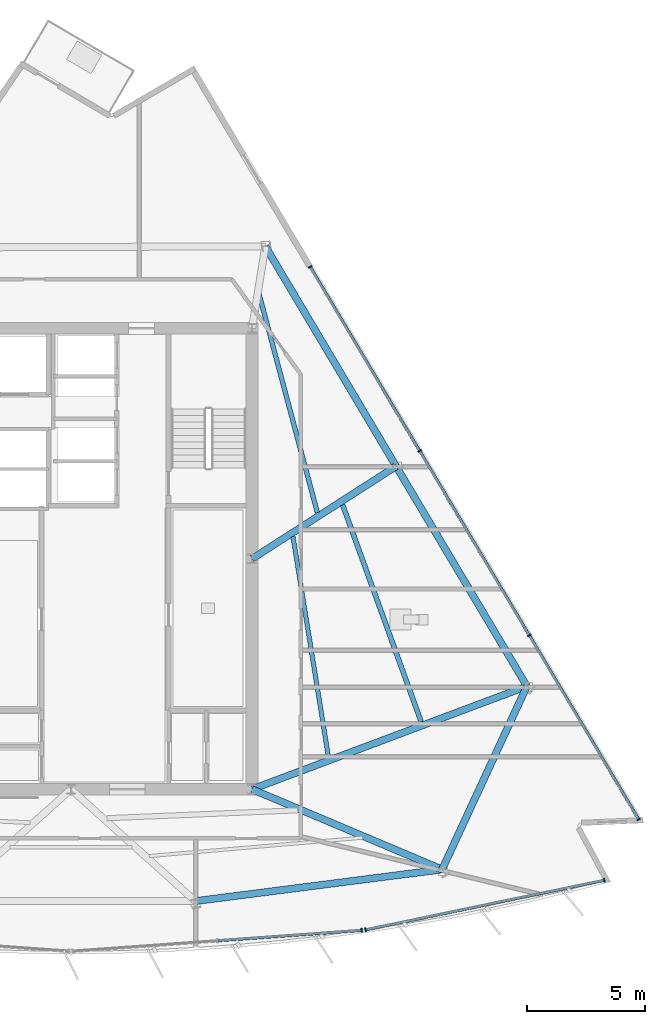
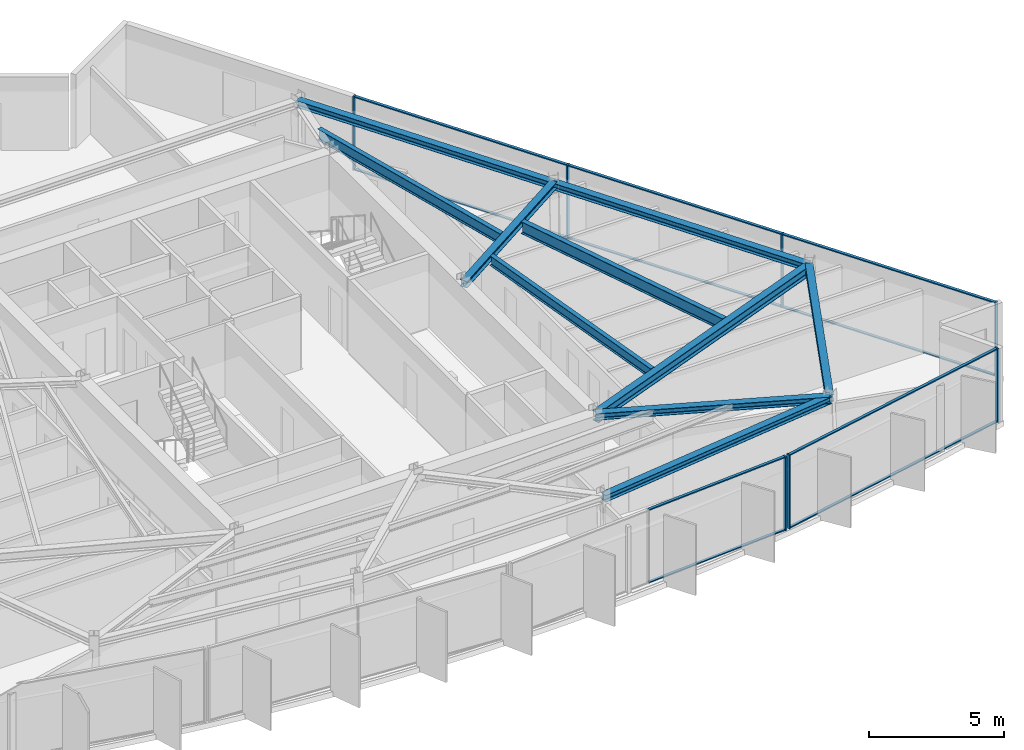
# One storey, part 5 of 13: 17 members, 10 beams, 3 elements without a shape of their own.
"""IFC4 building model written with IfcOpenShell, lengths in metres."""

from ifc_helpers import new_model, si_unit, direction, frame, origin, origin_2d, place, context, subcontext, project, spatial, rectangle, i_section, extrude, material, material_profile, profile_set, type_object, element, aggregate, save


model = new_model("IFC4")

# Units and contexts
model_context = context("Model", 3, precision=1e-05, world=origin(), true_north=direction((0.0, 1.0)))
body_context = subcontext(model_context, "Body", "Model", "MODEL_VIEW")
ifc_project = project(units=[si_unit("LENGTHUNIT", "METRE"), si_unit("AREAUNIT", "SQUARE_METRE"), si_unit("VOLUMEUNIT", "CUBIC_METRE"), si_unit("PLANEANGLEUNIT", "RADIAN"), si_unit("MASSUNIT", "GRAM", prefix="KILO")], contexts=[model_context])

# Site, building, storey
site_placement = place(None, origin())
site = spatial("IfcSite", under=ifc_project, at=site_placement, CompositionType="ELEMENT")
building_placement = place(site_placement, origin())
building = spatial("IfcBuilding", under=site, at=building_placement, Name="Savorim Split Tower", CompositionType="ELEMENT")
storey_placement = place(building_placement, frame((0.0, 0.0, 254.39990234375)))
storey = spatial("IfcBuildingStorey", under=building, at=storey_placement, Name="L67", CompositionType="ELEMENT", Elevation=254.39990234375)

# Beams
ifc_material_1 = material(Name="Steel S355", Category="steel")
ifc_material_profile_1 = material_profile(ifc_material_1, i_section(OverallWidth=0.18994140625, OverallDepth=0.449951171875, WebThickness=0.009521484375, FlangeThickness=0.0146484375, FilletRadius=0.02099609375, at=origin_2d()), Name="IPE 450")
ifc_profile_set_1 = profile_set([ifc_material_profile_1], Name="Steel S355")
beam_type_1 = type_object("IfcBeamType", Name="BM-JST-IPE450", PredefinedType="JOIST", material=ifc_profile_set_1)
beam_1_placement = place(storey_placement, frame((10.946533203125, -8.01513671875, 3.125), z_axis=(-0.158895549675, 0.9872953987, 0.0), x_axis=(-0.9872953987, -0.158895549675, 0.0)))
element("IfcBeam", 1, at=beam_1_placement, inside=storey, type_object=beam_type_1, Name="L67 Secondary Floor Joist JS-08", PredefinedType="JOIST", context=body_context, shape_type="SweptSolid", body=[
    extrude(i_section(OverallWidth=0.18994140625, OverallDepth=0.449951171875, WebThickness=0.009521484375, FlangeThickness=0.0146484375, FilletRadius=0.02099609375, at=origin_2d()), origin(), (0.0, 0.0, 1.0), 9.478515625),
])
ifc_material_profile_2 = material_profile(ifc_material_1, i_section(OverallWidth=0.199951171875, OverallDepth=0.5, WebThickness=0.01025390625, FlangeThickness=0.01611328125, FilletRadius=0.02099609375, at=origin_2d()), Name="IPE 500")
ifc_profile_set_2 = profile_set([ifc_material_profile_2], Name="Steel S355")
beam_type_2 = type_object("IfcBeamType", Name="BM-JST-IPE500", PredefinedType="JOIST", material=ifc_profile_set_2)
beam_2_placement = place(storey_placement, frame((10.476318359375, 2.36328125, 3.10009765625), z_axis=(-0.257596228139, 0.966252649801, 0.0), x_axis=(-0.966252649801, -0.257596228139, 0.0)))
element("IfcBeam", 2, at=beam_2_placement, inside=storey, type_object=beam_type_2, Name="L67 Secondary Floor Joist JS-07", PredefinedType="JOIST", context=body_context, shape_type="SweptSolid", body=[
    extrude(i_section(OverallWidth=0.199951171875, OverallDepth=0.5, WebThickness=0.01025390625, FlangeThickness=0.01611328125, FilletRadius=0.02099609375, at=origin_2d()), origin(), (0.0, 0.0, 1.0), 9.6083984375),
])
ifc_material_profile_3 = material_profile(ifc_material_1, i_section(OverallWidth=0.2099609375, OverallDepth=0.550048828125, WebThickness=0.010986328125, FlangeThickness=0.01708984375, FilletRadius=0.02392578125, at=origin_2d()), Name="IPE 550")
ifc_profile_set_3 = profile_set([ifc_material_profile_3], Name="Steel S355")
beam_type_3 = type_object("IfcBeamType", Name="BM-JST-IPE550", PredefinedType="JOIST", material=ifc_profile_set_3)
beam_3_placement = place(storey_placement, frame((14.890380859375, -6.532958984375, 3.0751953125), z_axis=(-0.340413379679, 0.940275880226, 0.0), x_axis=(-0.940275880226, -0.340413379679, 0.0)))
element("IfcBeam", 3, at=beam_3_placement, inside=storey, type_object=beam_type_3, Name="L67 Secondary Floor Joist JS-06", PredefinedType="JOIST", context=body_context, shape_type="SweptSolid", body=[
    extrude(i_section(OverallWidth=0.2099609375, OverallDepth=0.550048828125, WebThickness=0.010986328125, FlangeThickness=0.01708984375, FilletRadius=0.02392578125, at=origin_2d()), origin(), (0.0, 0.0, 1.0), 9.80615234375),
])
ifc_material_profile_4 = material_profile(ifc_material_1, i_section(OverallWidth=0.300048828125, OverallDepth=0.300048828125, WebThickness=0.010986328125, FlangeThickness=0.01904296875, FilletRadius=0.027099609375, at=origin_2d()), Name="HEB 300")
ifc_profile_set_4 = profile_set([ifc_material_profile_4], Name="Steel S355")
beam_type_4 = type_object("IfcBeamType", Name="BM-PRI-HEB300", PredefinedType="BEAM", material=ifc_profile_set_4)
beam_4_placement = place(storey_placement, frame((15.779541015625, -12.80810546875, 3.2001953125), z_axis=(-0.921379428234, 0.388664314321, 0.0), x_axis=(-0.388664314321, -0.921379428234, 0.0)))
element("IfcBeam", 4, at=beam_4_placement, inside=storey, type_object=beam_type_4, Name="L67 Primary Floor Girder RG-04", PredefinedType="BEAM", context=body_context, shape_type="SweptSolid", body=[
    extrude(i_section(OverallWidth=0.300048828125, OverallDepth=0.300048828125, WebThickness=0.010986328125, FlangeThickness=0.01904296875, FilletRadius=0.027099609375, at=origin_2d()), origin(), (0.0, 0.0, 1.0), 8.76904296875),
])
beam_5_placement = place(storey_placement, frame((13.8251953125, 4.332275390625, 3.2001953125), z_axis=(-0.841508521188, -0.540243841953, 0.0), x_axis=(0.540243841953, -0.841508521188, 0.0)))
element("IfcBeam", 5, at=beam_5_placement, inside=storey, type_object=beam_type_4, Name="L67 Primary Floor Girder RG-06", PredefinedType="BEAM", context=body_context, shape_type="SweptSolid", body=[
    extrude(i_section(OverallWidth=0.300048828125, OverallDepth=0.300048828125, WebThickness=0.010986328125, FlangeThickness=0.01904296875, FilletRadius=0.027099609375, at=origin_2d()), origin(), (0.0, 0.0, 1.0), 7.27880859375),
])
ifc_material_profile_5 = material_profile(ifc_material_1, i_section(OverallWidth=0.300048828125, OverallDepth=0.449951171875, WebThickness=0.013916015625, FlangeThickness=0.02587890625, FilletRadius=0.027099609375, at=origin_2d()), Name="HEB 450")
ifc_profile_set_5 = profile_set([ifc_material_profile_5], Name="Steel S355")
beam_type_5 = type_object("IfcBeamType", Name="BM-PRI-HEB450", PredefinedType="BEAM", material=ifc_profile_set_5)
beam_6_placement = place(storey_placement, frame((19.38525390625, -5.018310546875, 3.125), z_axis=(-0.936339628573, -0.351095570984, 0.0), x_axis=(0.351095570984, -0.936339628573, 0.0)))
element("IfcBeam", 6, at=beam_6_placement, inside=storey, type_object=beam_type_5, Name="L67 Primary Floor Girder RG-05", PredefinedType="BEAM", context=body_context, shape_type="SweptSolid", body=[
    extrude(i_section(OverallWidth=0.300048828125, OverallDepth=0.449951171875, WebThickness=0.013916015625, FlangeThickness=0.02587890625, FilletRadius=0.027099609375, at=origin_2d()), origin(), (0.0, 0.0, 1.0), 12.479736328125),
])
ifc_material_profile_6 = material_profile(ifc_material_1, i_section(OverallWidth=0.300048828125, OverallDepth=0.31005859375, WebThickness=0.009033203125, FlangeThickness=0.015380859375, FilletRadius=0.027099609375, at=origin_2d()), Name="HEA 320")
ifc_profile_set_6 = profile_set([ifc_material_profile_6], Name="Steel S355")
beam_type_6 = type_object("IfcBeamType", Name="BM-SPN-HEA320", PredefinedType="SPANDREL", material=ifc_profile_set_6)
beam_7_placement = place(storey_placement, frame((5.28857421875, -14.155029296875, 3.195068359375), z_axis=(0.991858656006, 0.127343655144, 0.0), x_axis=(-0.127343655144, 0.991858656006, 0.0)))
element("IfcBeam", 7, at=beam_7_placement, inside=storey, type_object=beam_type_6, Name="L67 Perimeter Spandrel Beam 3", PredefinedType="SPANDREL", context=body_context, shape_type="SweptSolid", body=[
    extrude(i_section(OverallWidth=0.300048828125, OverallDepth=0.31005859375, WebThickness=0.009033203125, FlangeThickness=0.015380859375, FilletRadius=0.027099609375, at=origin_2d()), origin(), (0.0, 0.0, 1.0), 10.5771484375),
])
beam_8_placement = place(storey_placement, frame((15.779541015625, -12.80810546875, 3.195068359375), z_axis=(0.420058940158, 0.907496824674, 0.0), x_axis=(-0.907496824674, 0.420058940158, 0.0)))
element("IfcBeam", 8, at=beam_8_placement, inside=storey, type_object=beam_type_6, Name="L67 Perimeter Spandrel Beam 4", PredefinedType="SPANDREL", context=body_context, shape_type="SweptSolid", body=[
    extrude(i_section(OverallWidth=0.300048828125, OverallDepth=0.31005859375, WebThickness=0.009033203125, FlangeThickness=0.015380859375, FilletRadius=0.027099609375, at=origin_2d()), origin(), (0.0, 0.0, 1.0), 8.583740234375),
])
beam_9_placement = place(storey_placement, frame((19.38525390625, -5.018310546875, 3.195068359375), z_axis=(-0.511092421027, 0.859525762946, 0.0), x_axis=(-0.859525762946, -0.511092421027, 0.0)))
element("IfcBeam", 9, at=beam_9_placement, inside=storey, type_object=beam_type_6, Name="L67 Perimeter Spandrel Beam 5", PredefinedType="SPANDREL", context=body_context, shape_type="SweptSolid", body=[
    extrude(i_section(OverallWidth=0.300048828125, OverallDepth=0.31005859375, WebThickness=0.009033203125, FlangeThickness=0.015380859375, FilletRadius=0.027099609375, at=origin_2d()), origin(), (0.0, 0.0, 1.0), 10.878662109375),
])
beam_10_placement = place(storey_placement, frame((13.8251953125, 4.332275390625, 3.195068359375), z_axis=(-0.51108569973, 0.859529759538, 0.0), x_axis=(-0.859529759538, -0.51108569973, 0.0)))
element("IfcBeam", 10, at=beam_10_placement, inside=storey, type_object=beam_type_6, Name="L67 Perimeter Spandrel Beam 6", PredefinedType="SPANDREL", context=body_context, shape_type="SweptSolid", body=[
    extrude(i_section(OverallWidth=0.300048828125, OverallDepth=0.31005859375, WebThickness=0.009033203125, FlangeThickness=0.015380859375, FilletRadius=0.027099609375, at=origin_2d()), origin(), (0.0, 0.0, 1.0), 10.87841796875),
])

# Curtain wall, member
ifc_material_2 = material(Name="Dark Ceramic-Fritted Insulated Glass", Category="glass")
curtain_wall_type = type_object("IfcCurtainWallType", Name="CW-TWR-FRIT-B", PredefinedType="NOTDEFINED", material=ifc_material_2)
curtain_wall_1_placement = place(storey_placement, origin())
curtain_wall_1 = element("IfcCurtainWall", 11, at=curtain_wall_1_placement, inside=storey, type_object=curtain_wall_type, Name="L67 Curtain Wall CW-L67-SF3", PredefinedType="NOTDEFINED")
ifc_material_3 = material(Name="Charcoal Anodised Aluminium", Category="aluminium")
ifc_material_profile_7 = material_profile(ifc_material_3, rectangle(XDim=0.159912109375, YDim=0.06005859375, at=origin_2d()), Name="ALU-M 160x60")
ifc_profile_set_7 = profile_set([ifc_material_profile_7], Name="Charcoal Anodised Aluminium")
member_type_1 = type_object("IfcMemberType", Name="CWM-160x60", PredefinedType="MULLION", material=ifc_profile_set_7)
member_1_placement = place(storey_placement, frame((12.362060546875, -15.39599609375, 0.0), z_axis=(0.0, 0.0, 1.0), x_axis=(-0.071562386711, 0.997436125678, 0.0)))
member_1 = element("IfcMember", 12, at=member_1_placement, type_object=member_type_1, Name="CW-03 mullion 3", PredefinedType="MULLION", context=body_context, shape_type="SweptSolid", body=[
    extrude(rectangle(XDim=0.159912109375, YDim=0.06005859375, at=origin_2d()), origin(), (0.0, 0.0, 1.0), 3.35009765625),
])

# Curtain wall, members
curtain_wall_2_placement = place(storey_placement, origin())
curtain_wall_2 = element("IfcCurtainWall", 13, at=curtain_wall_2_placement, inside=storey, type_object=curtain_wall_type, Name="L67 Curtain Wall CW-L67-SF4", PredefinedType="NOTDEFINED")
member_2_placement = place(storey_placement, frame((12.524169921875, -15.373291015625, 0.0), z_axis=(0.0, 0.0, 1.0), x_axis=(-0.20320761208, 0.979135673129, 0.0)))
member_2 = element("IfcMember", 14, at=member_2_placement, type_object=member_type_1, Name="CW-03 mullion 1", PredefinedType="MULLION", context=body_context, shape_type="SweptSolid", body=[
    extrude(rectangle(XDim=0.159912109375, YDim=0.06005859375, at=origin_2d()), origin(), (0.0, 0.0, 1.0), 3.35009765625),
])
member_3_placement = place(storey_placement, frame((22.677978515625, -13.26611328125, 0.0), z_axis=(0.0, 0.0, 1.0), x_axis=(-0.20320761208, 0.979135673129, 0.0)))
member_3 = element("IfcMember", 15, at=member_3_placement, type_object=member_type_1, Name="CW-03 mullion 2", PredefinedType="MULLION", context=body_context, shape_type="SweptSolid", body=[
    extrude(rectangle(XDim=0.159912109375, YDim=0.06005859375, at=origin_2d()), origin(), (0.0, 0.0, 1.0), 3.35009765625),
])

curtain_wall_3_placement = place(storey_placement, origin())
curtain_wall_3 = element("IfcCurtainWall", 16, at=curtain_wall_3_placement, inside=storey, type_object=curtain_wall_type, Name="L67 Curtain Wall CW-L67-EAST", PredefinedType="NOTDEFINED")
member_4_placement = place(storey_placement, frame((24.138427734375, -10.678955078125, 0.0), z_axis=(0.0, 0.0, 1.0), x_axis=(-0.859527043432, -0.511090267573, 0.0)))
member_4 = element("IfcMember", 17, at=member_4_placement, type_object=member_type_1, Name="CW-03 mullion 1", PredefinedType="MULLION", context=body_context, shape_type="SweptSolid", body=[
    extrude(rectangle(XDim=0.159912109375, YDim=0.06005859375, at=origin_2d()), origin(), (0.0, 0.0, 1.0), 3.35009765625),
])
member_5_placement = place(storey_placement, frame((19.48828125, -2.85888671875, 0.0), z_axis=(0.0, 0.0, 1.0), x_axis=(-0.859527043432, -0.511090267573, 0.0)))
member_5 = element("IfcMember", 18, at=member_5_placement, type_object=member_type_1, Name="CW-03 mullion 2", PredefinedType="MULLION", context=body_context, shape_type="SweptSolid", body=[
    extrude(rectangle(XDim=0.159912109375, YDim=0.06005859375, at=origin_2d()), origin(), (0.0, 0.0, 1.0), 3.35009765625),
])
member_6_placement = place(storey_placement, frame((14.822998046875, 4.987060546875, 0.0), z_axis=(0.0, 0.0, 1.0), x_axis=(-0.859527043432, -0.511090267573, 0.0)))
member_6 = element("IfcMember", 19, at=member_6_placement, type_object=member_type_1, Name="CW-03 mullion 3", PredefinedType="MULLION", context=body_context, shape_type="SweptSolid", body=[
    extrude(rectangle(XDim=0.159912109375, YDim=0.06005859375, at=origin_2d()), origin(), (0.0, 0.0, 1.0), 3.35009765625),
])
member_7_placement = place(storey_placement, frame((10.173095703125, 12.80712890625, 0.0), z_axis=(0.0, 0.0, 1.0), x_axis=(-0.859527043432, -0.511090267573, 0.0)))
member_7 = element("IfcMember", 20, at=member_7_placement, type_object=member_type_1, Name="CW-03 mullion 4", PredefinedType="MULLION", context=body_context, shape_type="SweptSolid", body=[
    extrude(rectangle(XDim=0.159912109375, YDim=0.06005859375, at=origin_2d()), origin(), (0.0, 0.0, 1.0), 3.35009765625),
])

# Member
ifc_material_profile_8 = material_profile(ifc_material_3, rectangle(XDim=0.1201171875, YDim=0.050048828125, at=origin_2d()), Name="ALU-T 120x50")
ifc_profile_set_8 = profile_set([ifc_material_profile_8], Name="Charcoal Anodised Aluminium")
member_type_2 = type_object("IfcMemberType", Name="CWT-120x50", PredefinedType="USERDEFINED", material=ifc_profile_set_8)
member_8_placement = place(storey_placement, frame((6.25146484375, -15.83447265625, 0.025146484375), z_axis=(0.997436085583, 0.071562945555, 0.0), x_axis=(-0.071562945555, 0.997436085583, 0.0)))
member_8 = element("IfcMember", 21, at=member_8_placement, type_object=member_type_2, Name="CW-03 transom 2.1", ObjectType="TRANSOM", PredefinedType="USERDEFINED", context=body_context, shape_type="SweptSolid", body=[
    extrude(rectangle(XDim=0.1201171875, YDim=0.050048828125, at=origin_2d()), origin(), (0.0, 0.0, 1.0), 6.096435546875),
])

member_9_placement = place(storey_placement, frame((6.25146484375, -15.83447265625, 3.3251953125), z_axis=(0.997436085583, 0.071562945555, 0.0), x_axis=(-0.071562945555, 0.997436085583, 0.0)))
member_9 = element("IfcMember", 22, at=member_9_placement, type_object=member_type_2, Name="CW-03 transom 2.2", ObjectType="TRANSOM", PredefinedType="USERDEFINED", context=body_context, shape_type="SweptSolid", body=[
    extrude(rectangle(XDim=0.1201171875, YDim=0.050048828125, at=origin_2d()), origin(), (0.0, 0.0, 1.0), 6.096435546875),
])

aggregate(curtain_wall_1, [member_1, member_8, member_9])

member_10_placement = place(storey_placement, frame((12.553466796875, -15.3671875, 0.025146484375), z_axis=(0.97913890437, 0.203192042041, 0.0), x_axis=(-0.203192042041, 0.97913890437, 0.0)))
member_10 = element("IfcMember", 23, at=member_10_placement, type_object=member_type_2, Name="CW-03 transom 1.1", ObjectType="TRANSOM", PredefinedType="USERDEFINED", context=body_context, shape_type="SweptSolid", body=[
    extrude(rectangle(XDim=0.1201171875, YDim=0.050048828125, at=origin_2d()), origin(), (0.0, 0.0, 1.0), 10.310302734375),
])

member_11_placement = place(storey_placement, frame((12.553466796875, -15.3671875, 3.3251953125), z_axis=(0.97913890437, 0.203192042041, 0.0), x_axis=(-0.203192042041, 0.97913890437, 0.0)))
member_11 = element("IfcMember", 24, at=member_11_placement, type_object=member_type_2, Name="CW-03 transom 1.2", ObjectType="TRANSOM", PredefinedType="USERDEFINED", context=body_context, shape_type="SweptSolid", body=[
    extrude(rectangle(XDim=0.1201171875, YDim=0.050048828125, at=origin_2d()), origin(), (0.0, 0.0, 1.0), 10.310302734375),
])

aggregate(curtain_wall_2, [member_2, member_3, member_10, member_11])

member_12_placement = place(storey_placement, frame((24.123046875, -10.6533203125, 0.025146484375), z_axis=(-0.511095349308, 0.859524021721, 0.0), x_axis=(-0.859524021721, -0.511095349308, 0.0)))
member_12 = element("IfcMember", 25, at=member_12_placement, type_object=member_type_2, Name="CW-03 transom 1.1", ObjectType="TRANSOM", PredefinedType="USERDEFINED", context=body_context, shape_type="SweptSolid", body=[
    extrude(rectangle(XDim=0.1201171875, YDim=0.050048828125, at=origin_2d()), origin(), (0.0, 0.0, 1.0), 9.0380859375),
])

member_13_placement = place(storey_placement, frame((24.123046875, -10.6533203125, 3.3251953125), z_axis=(-0.511095349308, 0.859524021721, 0.0), x_axis=(-0.859524021721, -0.511095349308, 0.0)))
member_13 = element("IfcMember", 26, at=member_13_placement, type_object=member_type_2, Name="CW-03 transom 1.2", ObjectType="TRANSOM", PredefinedType="USERDEFINED", context=body_context, shape_type="SweptSolid", body=[
    extrude(rectangle(XDim=0.1201171875, YDim=0.050048828125, at=origin_2d()), origin(), (0.0, 0.0, 1.0), 9.0380859375),
])

member_14_placement = place(storey_placement, frame((19.47314453125, -2.8330078125, 0.025146484375), z_axis=(-0.511106572679, 0.859517347913, 0.0), x_axis=(-0.859517347913, -0.511106572679, 0.0)))
member_14 = element("IfcMember", 27, at=member_14_placement, type_object=member_type_2, Name="CW-03 transom 2.1", ObjectType="TRANSOM", PredefinedType="USERDEFINED", context=body_context, shape_type="SweptSolid", body=[
    extrude(rectangle(XDim=0.1201171875, YDim=0.050048828125, at=origin_2d()), origin(), (0.0, 0.0, 1.0), 9.068115234375),
])

member_15_placement = place(storey_placement, frame((19.47314453125, -2.8330078125, 3.3251953125), z_axis=(-0.511106572679, 0.859517347913, 0.0), x_axis=(-0.859517347913, -0.511106572679, 0.0)))
member_15 = element("IfcMember", 28, at=member_15_placement, type_object=member_type_2, Name="CW-03 transom 2.2", ObjectType="TRANSOM", PredefinedType="USERDEFINED", context=body_context, shape_type="SweptSolid", body=[
    extrude(rectangle(XDim=0.1201171875, YDim=0.050048828125, at=origin_2d()), origin(), (0.0, 0.0, 1.0), 9.068115234375),
])

member_16_placement = place(storey_placement, frame((14.8076171875, 5.012939453125, 0.025146484375), z_axis=(-0.511075392877, 0.859535888021, 0.0), x_axis=(-0.859535888021, -0.511075392877, 0.0)))
member_16 = element("IfcMember", 29, at=member_16_placement, type_object=member_type_2, Name="CW-03 transom 3.1", ObjectType="TRANSOM", PredefinedType="USERDEFINED", context=body_context, shape_type="SweptSolid", body=[
    extrude(rectangle(XDim=0.1201171875, YDim=0.050048828125, at=origin_2d()), origin(), (0.0, 0.0, 1.0), 9.0380859375),
])

member_17_placement = place(storey_placement, frame((14.8076171875, 5.012939453125, 3.3251953125), z_axis=(-0.511075392877, 0.859535888021, 0.0), x_axis=(-0.859535888021, -0.511075392877, 0.0)))
member_17 = element("IfcMember", 30, at=member_17_placement, type_object=member_type_2, Name="CW-03 transom 3.2", ObjectType="TRANSOM", PredefinedType="USERDEFINED", context=body_context, shape_type="SweptSolid", body=[
    extrude(rectangle(XDim=0.1201171875, YDim=0.050048828125, at=origin_2d()), origin(), (0.0, 0.0, 1.0), 9.0380859375),
])

aggregate(curtain_wall_3, [member_4, member_5, member_6, member_7, member_12, member_13, member_14, member_15, member_16, member_17])

save(model, "model.ifc")
